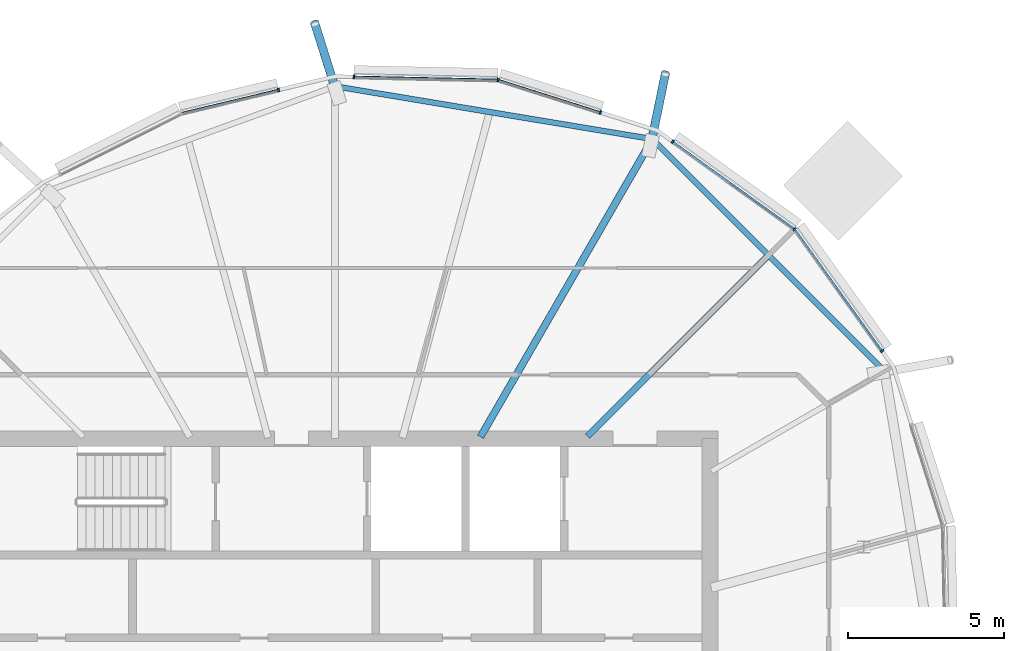
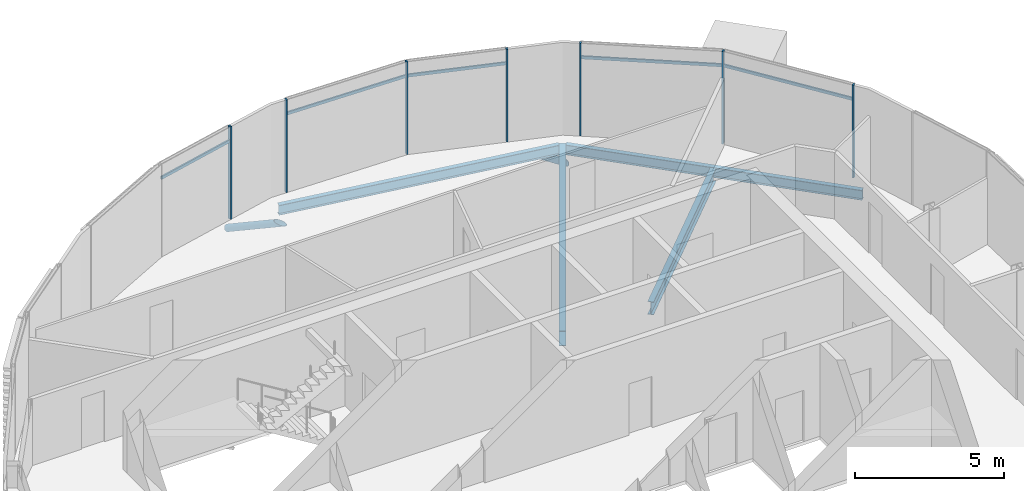
# One storey, part 14 of 35: 14 members, 4 beams, 1 element without a shape of its own.
"""IFC4 building model written with IfcOpenShell, lengths in metres."""

import ifcopenshell
import ifcopenshell.guid

model = None  # the IFC model being written
_history = None  # IfcOwnerHistory: only IFC2X3 demands one
_inside = {}  # id of a spatial element -> (the spatial element, [elements in it])
_under = {}  # id of a project, library or spatial element -> (it, [spatial elements below it])
_declared = {}  # id of a project -> (the project, [libraries it declares])
_typed = {}  # id of a type object -> (the type object, [elements of that type])
_made_of = {}  # id of a material, layer set ... -> (it, [elements and type objects made of it])


def new_model(schema):
    """Start an empty IFC model of exactly this schema.

    Asked for "IFC4X3", IfcOpenShell would pick the latest addendum, in which some entities
    have other attributes; the version numbers below select the first issue.
    IFC2X3 requires an IfcOwnerHistory on every rooted entity: one is made here for all.
    """
    global model, _history
    if schema == "IFC4X3":
        model = ifcopenshell.file(schema_version=(4, 3, 0, 0))
    else:
        model = ifcopenshell.file(schema=schema)
    _inside.clear()
    _under.clear()
    _declared.clear()
    _typed.clear()
    _made_of.clear()
    _history = None
    if model.schema == "IFC2X3":
        org = make("IfcOrganization", Name="unknown")
        user = make(
            "IfcPersonAndOrganization",
            ThePerson=make("IfcPerson", FamilyName="unknown"),
            TheOrganization=org,
        )
        app = make(
            "IfcApplication",
            ApplicationDeveloper=org,
            Version="unknown",
            ApplicationFullName="unknown",
            ApplicationIdentifier="unknown",
        )
        _history = make(
            "IfcOwnerHistory",
            OwningUser=user,
            OwningApplication=app,
            ChangeAction="ADDED",
            CreationDate=0,
        )
    return model


def make(cls, **values):
    """One entity of the class cls with the attributes given. An attribute that is None is left unset."""
    return model.create_entity(
        cls, **{name: value for name, value in values.items() if value is not None}
    )


def rooted(cls, **values):
    """An entity with a GlobalId (a new one), such as an element, a storey or a relation."""
    return make(cls, GlobalId=ifcopenshell.guid.new(), OwnerHistory=_history, **values)


def si_unit(unit_type, name, prefix=None):
    """IfcSIUnit, for example si_unit("LENGTHUNIT", "METRE", prefix="MILLI")."""
    return make("IfcSIUnit", UnitType=unit_type, Prefix=prefix, Name=name)


def assignment(units):
    """IfcUnitAssignment: the units of a project."""
    return None if units is None else make("IfcUnitAssignment", Units=units)


def point(xyz):
    """IfcCartesianPoint."""
    return None if xyz is None else make("IfcCartesianPoint", Coordinates=xyz)


def direction(xyz):
    """IfcDirection."""
    return None if xyz is None else make("IfcDirection", DirectionRatios=xyz)


def frame(location, z_axis=None, x_axis=None):
    """IfcAxis2Placement3D, a coordinate frame: its origin and axes. An axis left out is left unset."""
    return make(
        "IfcAxis2Placement3D",
        Location=point(location),
        Axis=direction(z_axis),
        RefDirection=direction(x_axis),
    )


def frame_2d(location, x_axis=None):
    """IfcAxis2Placement2D, a coordinate frame in the plane: its origin and x axis."""
    return make(
        "IfcAxis2Placement2D", Location=point(location), RefDirection=direction(x_axis)
    )


def origin():
    """The frame at (0, 0, 0) with its axes left unset."""
    return frame((0.0, 0.0, 0.0))


def origin_2d():
    """The frame at (0, 0) in the plane with its x axis left unset."""
    return frame_2d((0.0, 0.0))


def place(relative_to, where):
    """IfcLocalPlacement: puts the frame where relative to a parent placement (None: the world)."""
    return make(
        "IfcLocalPlacement", PlacementRelTo=relative_to, RelativePlacement=where
    )


def context(
    kind, dimensions, precision=None, world=None, true_north=None, identifier=None
):
    """IfcGeometricRepresentationContext, for example the 3D "Model" context."""
    return make(
        "IfcGeometricRepresentationContext",
        ContextIdentifier=identifier,
        ContextType=kind,
        CoordinateSpaceDimension=dimensions,
        Precision=precision,
        WorldCoordinateSystem=world,
        TrueNorth=true_north,
    )


def subcontext(parent, identifier, kind, view, scale=None):
    """IfcGeometricRepresentationSubContext, for example "Body" below "Model"."""
    return make(
        "IfcGeometricRepresentationSubContext",
        ContextIdentifier=identifier,
        ContextType=kind,
        ParentContext=parent,
        TargetScale=scale,
        TargetView=view,
    )


def project(units=None, contexts=None):
    """IfcProject with its units and contexts."""
    return rooted(
        "IfcProject",
        Name="project",
        RepresentationContexts=contexts,
        UnitsInContext=assignment(units),
    )


def spatial(cls, under=None, at=None, **own):
    """A site, building, storey or space (cls), placed at a placement, below another one or the project."""
    s = rooted(cls, ObjectPlacement=at, **own)
    if under is not None:
        _under.setdefault(under.id(), (under, []))[1].append(s)
    return s


def profile(cls, at=None, kind="AREA", **sizes):
    """A parametric profile (cls). Its sizes go by their IFC names, for example OverallWidth=200.0."""
    return make(cls, ProfileType=kind, Position=at, **sizes)


def rectangle(**sizes):
    """IfcRectangleProfileDef."""
    return profile("IfcRectangleProfileDef", **sizes)


def hollow_circle(**sizes):
    """IfcCircleHollowProfileDef."""
    return profile("IfcCircleHollowProfileDef", **sizes)


def i_section(**sizes):
    """IfcIShapeProfileDef."""
    return profile("IfcIShapeProfileDef", **sizes)


def extrude(swept, where, along, depth):
    """IfcExtrudedAreaSolid: the profile swept, set in the frame where, extruded along a direction by depth."""
    return make(
        "IfcExtrudedAreaSolid",
        SweptArea=swept,
        Position=where,
        ExtrudedDirection=direction(along),
        Depth=depth,
    )


def clip(a, b, op="DIFFERENCE"):
    """IfcBooleanClippingResult: the solid a cut by the half space b."""
    return make(
        "IfcBooleanClippingResult", Operator=op, FirstOperand=a, SecondOperand=b
    )


def halfspace(plane, agree):
    """IfcHalfSpaceSolid: all space on one side of the plane z = 0 of the frame plane."""
    return make(
        "IfcHalfSpaceSolid",
        BaseSurface=make("IfcPlane", Position=plane),
        AgreementFlag=agree,
    )


def shape(context_of_items, identifier, shape_type, items):
    """IfcShapeRepresentation: the items that make up one representation, for example the "Body"."""
    return make(
        "IfcShapeRepresentation",
        ContextOfItems=context_of_items,
        RepresentationIdentifier=identifier,
        RepresentationType=shape_type,
        Items=items,
    )


def material(Name=None, Category=None):
    """IfcMaterial."""
    return make("IfcMaterial", Name=Name, Category=Category)


def material_profile(
    of_material, cross_section, Name=None, Category=None, Priority=None
):
    """IfcMaterialProfile: a cross section and its material."""
    return make(
        "IfcMaterialProfile",
        Name=Name,
        Material=of_material,
        Profile=cross_section,
        Priority=Priority,
        Category=Category,
    )


def profile_set(profiles, Name=None, composite=None):
    """IfcMaterialProfileSet."""
    return make(
        "IfcMaterialProfileSet",
        Name=Name,
        MaterialProfiles=profiles,
        CompositeProfile=composite,
    )


def made_of(thing, what):
    """Note that an element or type object is made of a material, layer set ...; save() writes the relation."""
    if what is not None:
        _made_of.setdefault(what.id(), (what, []))[1].append(thing)
    return thing


def type_object(cls, material=None, **own):
    """A type object (cls), such as IfcWallType, which elements share."""
    return made_of(rooted(cls, **own), material)


def element(
    cls,
    number,
    at=None,
    inside=None,
    cuts=None,
    type_object=None,
    material=None,
    context=None,
    identifier="Body",
    shape_type=None,
    held_by="IfcProductDefinitionShape",
    body=None,
    shapes=None,
    **own,
):
    """One element of the class cls, such as IfcWall. Its Tag is "e" and its number.

    at: its placement. inside: the storey or other place that contains it. cuts: it is an
    opening in that element (IfcRelVoidsElement). A single representation is given by context,
    identifier, shape_type and body (its items); several are given by shapes. held_by: the class
    of the entity that holds the representations. save() writes the other relations.
    """
    e = rooted(cls, Tag="e%d" % number, ObjectPlacement=at, **own)
    if body is not None:
        shapes = [shape(context, identifier, shape_type, body)]
    if shapes is not None:
        e.Representation = make(held_by, Representations=shapes)
    if inside is not None:
        _inside.setdefault(inside.id(), (inside, []))[1].append(e)
    if cuts is not None:
        rooted(
            "IfcRelVoidsElement", RelatingBuildingElement=cuts, RelatedOpeningElement=e
        )
    if type_object is not None:
        _typed.setdefault(type_object.id(), (type_object, []))[1].append(e)
    return made_of(e, material)


def aggregate(whole, parts):
    """IfcRelAggregates: a whole, such as a stair, and the parts it consists of."""
    return rooted("IfcRelAggregates", RelatingObject=whole, RelatedObjects=parts)


def save(model, path):
    """Write the relations noted so far, then the file.

    IfcRelAggregates (storeys below a building ...), IfcRelContainedInSpatialStructure (elements
    in a storey), IfcRelDefinesByType, IfcRelAssociatesMaterial and IfcRelDeclares: one each for
    every whole, place, type object, material and project.
    """
    for whole, parts in _under.values():
        aggregate(whole, parts)
    for where, things in _inside.values():
        rooted(
            "IfcRelContainedInSpatialStructure",
            RelatedElements=things,
            RelatingStructure=where,
        )
    for kind, things in _typed.values():
        rooted("IfcRelDefinesByType", RelatedObjects=things, RelatingType=kind)
    for what, things in _made_of.values():
        rooted("IfcRelAssociatesMaterial", RelatedObjects=things, RelatingMaterial=what)
    for by, libraries in _declared.values():
        rooted("IfcRelDeclares", RelatingContext=by, RelatedDefinitions=libraries)
    model.write(path)


model = new_model("IFC4")

# Units and contexts
model_context = context("Model", 3, precision=1e-05, world=origin(), true_north=direction((0.0, 1.0)))
body_context = subcontext(model_context, "Body", "Model", "MODEL_VIEW")
ifc_project = project(units=[si_unit("LENGTHUNIT", "METRE"), si_unit("AREAUNIT", "SQUARE_METRE"), si_unit("VOLUMEUNIT", "CUBIC_METRE"), si_unit("PLANEANGLEUNIT", "RADIAN"), si_unit("MASSUNIT", "GRAM", prefix="KILO")], contexts=[model_context])

# Site, building, storey
site_placement = place(None, origin())
site = spatial("IfcSite", under=ifc_project, at=site_placement, CompositionType="ELEMENT")
building_placement = place(site_placement, origin())
building = spatial("IfcBuilding", under=site, at=building_placement, Name="Rimbun Link Towers", CompositionType="ELEMENT")
storey_placement = place(building_placement, frame((0.0, 0.0, 225.699951171875)))
storey = spatial("IfcBuildingStorey", under=building, at=storey_placement, Name="L55", CompositionType="ELEMENT", Elevation=225.699951171875)

# Curtain wall, members
ifc_material_1 = material(Name="Aluminium 6063-T6 and low-iron glass", Category="aluminium")
curtain_wall_type = type_object("IfcCurtainWallType", Name="CW1-Z4 unitised vision wall (zone 4)", PredefinedType="NOTDEFINED", material=ifc_material_1)
curtain_wall_placement = place(storey_placement, origin())
curtain_wall = element("IfcCurtainWall", 1, at=curtain_wall_placement, inside=storey, type_object=curtain_wall_type, Name="CW1 L55 T2", PredefinedType="NOTDEFINED")
ifc_material_2 = material(Name="Aluminium 6063-T6", Category="aluminium")
ifc_material_profile_1 = material_profile(ifc_material_2, rectangle(XDim=0.1201171875, YDim=0.06005859375, at=origin_2d()), Name="MULLION 60X120")
ifc_profile_set_1 = profile_set([ifc_material_profile_1], Name="Aluminium 6063-T6")
member_type_1 = type_object("IfcMemberType", Name="CW1 mullion 60X120", PredefinedType="MULLION", material=ifc_profile_set_1)
member_1_placement = place(storey_placement, frame((42.556640625, 17.511474609375, 0.0), z_axis=(0.0, 0.0, 1.0), x_axis=(0.583009497334, 0.812465338349, 0.0)))
member_1 = element("IfcMember", 2, at=member_1_placement, type_object=member_type_1, Name="CW1 mullion", PredefinedType="MULLION", context=body_context, shape_type="SweptSolid", body=[
    extrude(rectangle(XDim=0.1201171875, YDim=0.06005859375, at=origin_2d()), origin(), (0.0, 0.0, 1.0), 3.800048828125),
])
member_2_placement = place(storey_placement, frame((46.459716796875, 14.709716796875, 0.0), z_axis=(0.0, 0.0, 1.0), x_axis=(0.707106781187, 0.707106781187, 0.0)))
member_2 = element("IfcMember", 3, at=member_2_placement, type_object=member_type_1, Name="CW1 mullion", PredefinedType="MULLION", context=body_context, shape_type="SweptSolid", body=[
    extrude(rectangle(XDim=0.1201171875, YDim=0.06005859375, at=origin_2d()), origin(), (0.0, 0.0, 1.0), 3.800048828125),
])
member_3_placement = place(storey_placement, frame((36.96533203125, 19.48681640625, 0.0), z_axis=(0.0, 0.0, 1.0), x_axis=(0.163741653209, 0.986503254432, 0.0)))
member_3 = element("IfcMember", 4, at=member_3_placement, type_object=member_type_1, Name="CW1 mullion", PredefinedType="MULLION", context=body_context, shape_type="SweptSolid", body=[
    extrude(rectangle(XDim=0.1201171875, YDim=0.06005859375, at=origin_2d()), origin(), (0.0, 0.0, 1.0), 3.800048828125),
])
member_4_placement = place(storey_placement, frame((40.24169921875, 18.445556640625, 0.0), z_axis=(0.0, 0.0, 1.0), x_axis=(0.303052619159, 0.952973824415, 0.0)))
member_4 = element("IfcMember", 5, at=member_4_placement, type_object=member_type_1, Name="CW1 mullion", PredefinedType="MULLION", context=body_context, shape_type="SweptSolid", body=[
    extrude(rectangle(XDim=0.1201171875, YDim=0.06005859375, at=origin_2d()), origin(), (0.0, 0.0, 1.0), 3.800048828125),
])
member_5_placement = place(storey_placement, frame((32.35107421875, 19.584716796875, 0.0), z_axis=(0.0, 0.0, 1.0), x_axis=(0.021068781637, 0.999778028585, 0.0)))
member_5 = element("IfcMember", 6, at=member_5_placement, type_object=member_type_1, Name="CW1 mullion", PredefinedType="MULLION", context=body_context, shape_type="SweptSolid", body=[
    extrude(rectangle(XDim=0.1201171875, YDim=0.06005859375, at=origin_2d()), origin(), (0.0, 0.0, 1.0), 3.800048828125),
])
member_6_placement = place(storey_placement, frame((29.936767578125, 19.165283203125, 0.0), z_axis=(0.0, 0.0, 1.0), x_axis=(-0.232601262555, 0.972572183777, 0.0)))
member_6 = element("IfcMember", 7, at=member_6_placement, type_object=member_type_1, Name="CW1 mullion", PredefinedType="MULLION", context=body_context, shape_type="SweptSolid", body=[
    extrude(rectangle(XDim=0.1201171875, YDim=0.06005859375, at=origin_2d()), origin(), (0.0, 0.0, 1.0), 3.800048828125),
])
member_7_placement = place(storey_placement, frame((49.261474609375, 10.806640625, 0.0), z_axis=(0.0, 0.0, 1.0), x_axis=(0.812465338349, 0.583009497334, 0.0)))
member_7 = element("IfcMember", 8, at=member_7_placement, type_object=member_type_1, Name="CW1 mullion", PredefinedType="MULLION", context=body_context, shape_type="SweptSolid", body=[
    extrude(rectangle(XDim=0.1201171875, YDim=0.06005859375, at=origin_2d()), origin(), (0.0, 0.0, 1.0), 3.800048828125),
])
ifc_material_3 = material(Name="Aluminium 6063-T6", Category="aluminium")
ifc_material_profile_2 = material_profile(ifc_material_3, rectangle(XDim=0.06005859375, YDim=0.1201171875, at=origin_2d()), Name="TRANSOM 60X120")
ifc_profile_set_2 = profile_set([ifc_material_profile_2], Name="Aluminium 6063-T6")
member_type_2 = type_object("IfcMemberType", Name="CW1 transom 60X120", PredefinedType="USERDEFINED", material=ifc_profile_set_2)
member_8_placement = place(storey_placement, frame((42.579833984375, 17.492431640625, 3.199951171875), z_axis=(0.812463386436, -0.583012217454, 0.0), x_axis=(0.583012217454, 0.812463386436, 0.0)))
member_8 = element("IfcMember", 9, at=member_8_placement, type_object=member_type_2, Name="CW1 transom", ObjectType="TRANSOM", PredefinedType="USERDEFINED", context=body_context, shape_type="SweptSolid", body=[
    extrude(rectangle(XDim=0.06005859375, YDim=0.1201171875, at=origin_2d()), origin(), (0.0, 0.0, 1.0), 4.73486328125),
])
member_9_placement = place(storey_placement, frame((37.001708984375, 19.473876953125, 3.199951171875), z_axis=(0.952976206236, -0.303045129228, 0.0), x_axis=(0.303045129228, 0.952976206236, 0.0)))
member_9 = element("IfcMember", 10, at=member_9_placement, type_object=member_type_2, Name="CW1 transom", ObjectType="TRANSOM", PredefinedType="USERDEFINED", context=body_context, shape_type="SweptSolid", body=[
    extrude(rectangle(XDim=0.06005859375, YDim=0.1201171875, at=origin_2d()), origin(), (0.0, 0.0, 1.0), 3.369140625),
])
member_10_placement = place(storey_placement, frame((32.381103515625, 19.58203125, 3.199951171875), z_axis=(0.9997784432, -0.021049097682, 0.0), x_axis=(0.021049097682, 0.9997784432, 0.0)))
member_10 = element("IfcMember", 11, at=member_10_placement, type_object=member_type_2, Name="CW1 transom", ObjectType="TRANSOM", PredefinedType="USERDEFINED", context=body_context, shape_type="SweptSolid", body=[
    extrude(rectangle(XDim=0.06005859375, YDim=0.1201171875, at=origin_2d()), origin(), (0.0, 0.0, 1.0), 4.546630859375),
])
member_11_placement = place(storey_placement, frame((26.845947265625, 18.424072265625, 3.199951171875), z_axis=(0.972564399984, 0.232633806407, 0.0), x_axis=(-0.232633806407, 0.972564399984, 0.0)))
member_11 = element("IfcMember", 12, at=member_11_placement, type_object=member_type_2, Name="CW1 transom", ObjectType="TRANSOM", PredefinedType="USERDEFINED", context=body_context, shape_type="SweptSolid", body=[
    extrude(rectangle(XDim=0.06005859375, YDim=0.1201171875, at=origin_2d()), origin(), (0.0, 0.0, 1.0), 3.1484375),
])
member_12_placement = place(storey_placement, frame((46.48193359375, 14.6767578125, 3.199951171875), z_axis=(0.583012217454, -0.812463386436, 0.0), x_axis=(0.812463386436, 0.583012217454, 0.0)))
member_12 = element("IfcMember", 13, at=member_12_placement, type_object=member_type_2, Name="CW1 transom", ObjectType="TRANSOM", PredefinedType="USERDEFINED", context=body_context, shape_type="SweptSolid", body=[
    extrude(rectangle(XDim=0.06005859375, YDim=0.1201171875, at=origin_2d()), origin(), (0.0, 0.0, 1.0), 4.73486328125),
])
aggregate(curtain_wall, [member_1, member_2, member_3, member_4, member_5, member_6, member_7, member_8, member_9, member_10, member_11, member_12])

# Members
ifc_material_4 = material(Name="Steel S355J2H", Category="steel")
ifc_material_profile_3 = material_profile(ifc_material_4, hollow_circle(Radius=0.136474609375, WallThickness=0.012451171875, at=origin_2d()), Name="CHS 273x12.5")
ifc_profile_set_3 = profile_set([ifc_material_profile_3], Name="Steel S355J2H")
member_type_3 = type_object("IfcMemberType", Name="Floor edge link CHS 273x12.5", PredefinedType="BRACE", material=ifc_profile_set_3)
member_13_placement = place(storey_placement, frame((41.881103515625, 17.547607421875, -0.861328125), z_axis=(0.175940180394, 0.855516353627, -0.486966961508), x_axis=(-0.979501237905, 0.201438141729, 0.0)))
element("IfcMember", 14, at=member_13_placement, inside=storey, type_object=member_type_3, Name="Floor edge link T2 L55 01", PredefinedType="BRACE", context=body_context, shape_type="Clipping", body=[
    clip(extrude(hollow_circle(Radius=0.136474609375, WallThickness=0.012451171875, at=origin_2d()), frame((0.0, 0.0, -0.51025390625)), (0.0, 0.0, 1.0), 3.0439453125), halfspace(frame((0.0, 0.0, -0.23974609375), z_axis=(0.0, 0.873420390419, -0.486966961508)), False)),
])
member_14_placement = place(storey_placement, frame((31.75, 19.230224609375, -0.861083984375), z_axis=(-0.262907603232, 0.831701814053, -0.489031373905), x_axis=(-0.953495410694, -0.301407534386, 0.0)))
element("IfcMember", 15, at=member_14_placement, inside=storey, type_object=member_type_3, Name="Floor edge link T2 L55 03", PredefinedType="BRACE", context=body_context, shape_type="Clipping", body=[
    clip(extrude(hollow_circle(Radius=0.136474609375, WallThickness=0.012451171875, at=origin_2d()), frame((0.0, 0.0, -0.50732421875)), (0.0, 0.0, 1.0), 3.029541015625), halfspace(frame((0.0, 0.0, -0.23828125), z_axis=(0.0, 0.872266195227, -0.489031373905)), False)),
])

# Beams
ifc_material_5 = material(Name="Steel S355J2", Category="steel")
ifc_material_profile_4 = material_profile(ifc_material_5, i_section(OverallWidth=0.177978515625, OverallDepth=0.406494140625, WebThickness=0.0078125, FlangeThickness=0.0126953125, at=origin_2d()), Name="UB 406x178x60")
ifc_profile_set_4 = profile_set([ifc_material_profile_4], Name="Steel S355J2")
beam_type_1 = type_object("IfcBeamType", Name="UB 406x178x60", PredefinedType="BEAM", material=ifc_profile_set_4)
beam_1_placement = place(storey_placement, frame((41.785400390625, 17.611083984375, -0.34326171875), z_axis=(-0.986447016606, 0.16408011284, 0.0), x_axis=(-0.16408011284, -0.986447016606, 0.0)))
element("IfcBeam", 16, at=beam_1_placement, inside=storey, type_object=beam_type_1, Name="Edge beam T2 L55 01-03", PredefinedType="BEAM", context=body_context, shape_type="SweptSolid", body=[
    extrude(i_section(OverallWidth=0.177978515625, OverallDepth=0.406494140625, WebThickness=0.0078125, FlangeThickness=0.0126953125, at=origin_2d()), origin(), (0.0, 0.0, 1.0), 10.056884765625),
])
beam_2_placement = place(storey_placement, frame((49.277587890625, 10.219482421875, -0.34326171875), z_axis=(-0.707106781187, 0.707106781187, 0.0), x_axis=(-0.707106781187, -0.707106781187, 0.0)))
element("IfcBeam", 17, at=beam_2_placement, inside=storey, type_object=beam_type_1, Name="Edge beam T2 L55 23-01", PredefinedType="BEAM", context=body_context, shape_type="SweptSolid", body=[
    extrude(i_section(OverallWidth=0.177978515625, OverallDepth=0.406494140625, WebThickness=0.0078125, FlangeThickness=0.0126953125, at=origin_2d()), origin(), (0.0, 0.0, 1.0), 10.305908203125),
])
ifc_material_6 = material(Name="Steel S355J2", Category="steel")
ifc_material_profile_5 = material_profile(ifc_material_6, i_section(OverallWidth=0.209228515625, OverallDepth=0.533203125, WebThickness=0.010009765625, FlangeThickness=0.015625, at=origin_2d()), Name="UB 533x210x92")
ifc_profile_set_5 = profile_set([ifc_material_profile_5], Name="Steel S355J2")
beam_type_2 = type_object("IfcBeamType", Name="UB 533x210x92", PredefinedType="BEAM", material=ifc_profile_set_5)
beam_3_placement = place(storey_placement, frame((39.82470703125, 8.07470703125, -0.406494140625), z_axis=(0.707106781187, 0.707106781187, 0.0), x_axis=(-0.707106781187, 0.707106781187, 0.0)))
element("IfcBeam", 18, at=beam_3_placement, inside=storey, type_object=beam_type_2, Name="Radial beam T2 L55 00", PredefinedType="BEAM", context=body_context, shape_type="SweptSolid", body=[
    extrude(i_section(OverallWidth=0.209228515625, OverallDepth=0.533203125, WebThickness=0.010009765625, FlangeThickness=0.015625, at=origin_2d()), origin(), (0.0, 0.0, 1.0), 8.110595703125),
])
ifc_material_7 = material(Name="Steel S355J2", Category="steel")
ifc_material_profile_6 = material_profile(ifc_material_7, i_section(OverallWidth=0.2275390625, OverallDepth=0.6025390625, WebThickness=0.010498046875, FlangeThickness=0.014892578125, at=origin_2d()), Name="UB 610x229x101")
ifc_profile_set_6 = profile_set([ifc_material_profile_6], Name="Steel S355J2")
beam_type_3 = type_object("IfcBeamType", Name="UB 610x229x101", PredefinedType="BEAM", material=ifc_profile_set_6)
beam_4_placement = place(storey_placement, frame((36.402099609375, 8.057861328125, -0.441162109375), z_axis=(0.499993790352, 0.866028988896, 0.0), x_axis=(-0.866028988896, 0.499993790352, 0.0)))
element("IfcBeam", 19, at=beam_4_placement, inside=storey, type_object=beam_type_3, Name="Radial beam T2 L55 01", PredefinedType="BEAM", context=body_context, shape_type="SweptSolid", body=[
    extrude(i_section(OverallWidth=0.2275390625, OverallDepth=0.6025390625, WebThickness=0.010498046875, FlangeThickness=0.014892578125, at=origin_2d()), origin(), (0.0, 0.0, 1.0), 11.008056640625),
])

save(model, "model.ifc")
